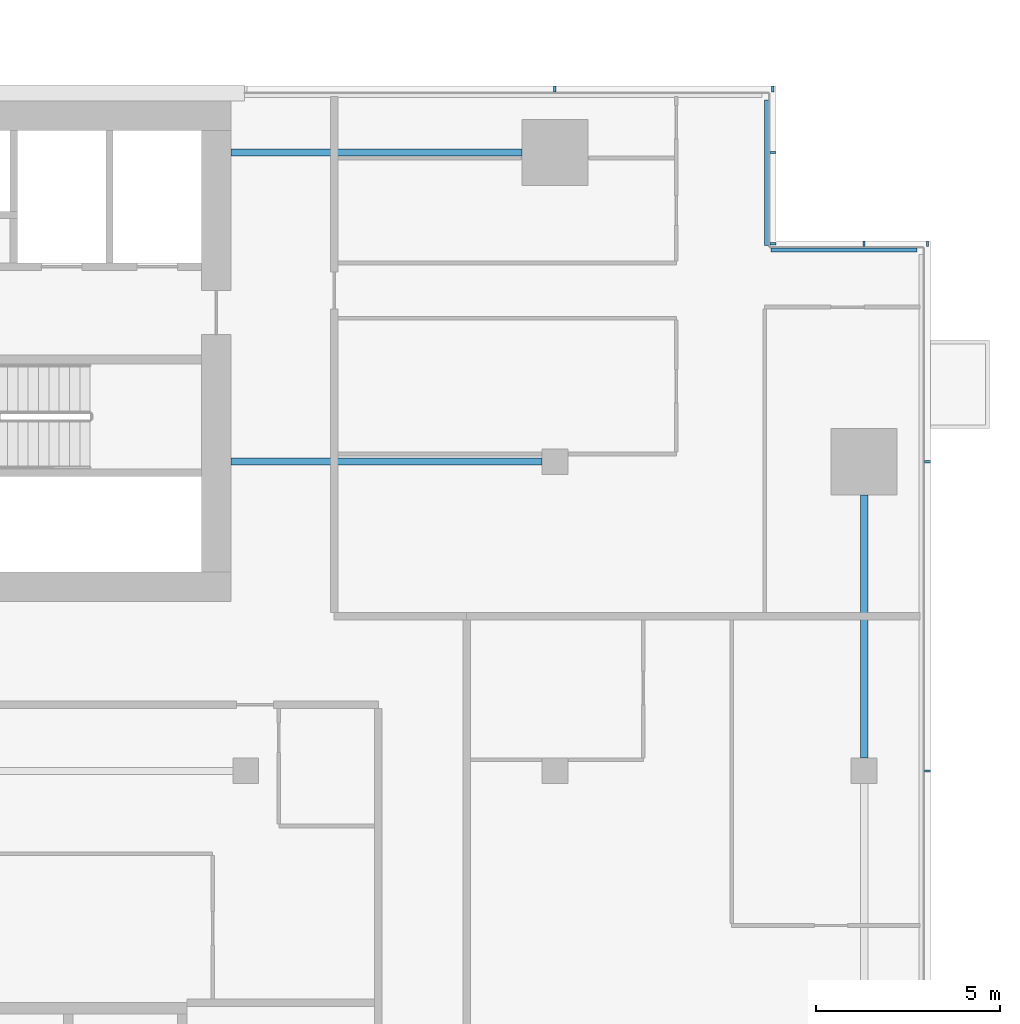
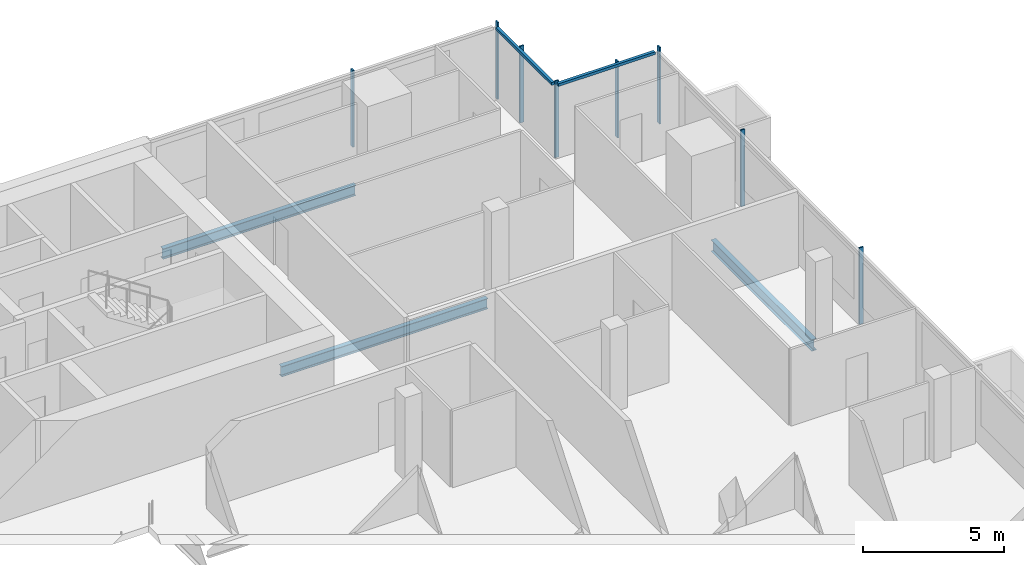
# One storey, part 13 of 27: 10 members, 3 beams, 4 elements without a shape of their own.
"""IFC4 building model written with IfcOpenShell, lengths in metres."""

from ifc_helpers import new_model, si_unit, direction, frame, origin, origin_2d, place, context, subcontext, project, spatial, rectangle, i_section, extrude, material, material_profile, profile_set, type_object, element, aggregate, save


model = new_model("IFC4")

# Units and contexts
model_context = context("Model", 3, precision=1e-05, world=origin(), true_north=direction((0.0, 1.0)))
body_context = subcontext(model_context, "Body", "Model", "MODEL_VIEW")
ifc_project = project(units=[si_unit("LENGTHUNIT", "METRE"), si_unit("AREAUNIT", "SQUARE_METRE"), si_unit("VOLUMEUNIT", "CUBIC_METRE"), si_unit("PLANEANGLEUNIT", "RADIAN"), si_unit("MASSUNIT", "GRAM", prefix="KILO")], contexts=[model_context])

# Site, building, storey
site_placement = place(None, origin())
site = spatial("IfcSite", under=ifc_project, at=site_placement, CompositionType="ELEMENT")
building_placement = place(site_placement, origin())
building = spatial("IfcBuilding", under=site, at=building_placement, Name="Saffron Gate Tower", CompositionType="ELEMENT")
storey_placement = place(building_placement, frame((0.0, 0.0, 172.64990234375)))
storey = spatial("IfcBuildingStorey", under=building, at=storey_placement, Name="L42", CompositionType="ELEMENT", Elevation=172.64990234375)

# Beams
ifc_material_1 = material(Name="Structural steel S355", Category="steel")
ifc_material_profile_1 = material_profile(ifc_material_1, i_section(OverallWidth=0.199951171875, OverallDepth=0.5, WebThickness=0.01025390625, FlangeThickness=0.01611328125, FilletRadius=0.02099609375, at=origin_2d()))
ifc_profile_set_1 = profile_set([ifc_material_profile_1], Name="Structural steel S355")
beam_type_1 = type_object("IfcBeamType", Name="B11 IPE 500", PredefinedType="SPANDREL", material=ifc_profile_set_1)
beam_1_placement = place(storey_placement, frame((125.39990234375, 57.35009765625, -0.52978515625), z_axis=(0.0, 1.0, 0.0), x_axis=(-1.0, 0.0, 0.0)))
element("IfcBeam", 1, at=beam_1_placement, inside=storey, type_object=beam_type_1, Name="B11 SPANDREL BEAM", PredefinedType="SPANDREL", context=body_context, shape_type="SweptSolid", body=[
    extrude(i_section(OverallWidth=0.199951171875, OverallDepth=0.5, WebThickness=0.01025390625, FlangeThickness=0.01611328125, FilletRadius=0.02099609375, at=origin_2d()), origin(), (0.0, 0.0, 1.0), 7.14990234375),
])
ifc_material_profile_2 = material_profile(ifc_material_1, i_section(OverallWidth=0.18994140625, OverallDepth=0.449951171875, WebThickness=0.009521484375, FlangeThickness=0.0146484375, FilletRadius=0.02099609375, at=origin_2d()))
ifc_profile_set_2 = profile_set([ifc_material_profile_2], Name="Structural steel S355")
beam_type_2 = type_object("IfcBeamType", Name="B6 IPE 450", PredefinedType="BEAM", material=ifc_profile_set_2)
beam_2_placement = place(storey_placement, frame((116.64990234375, 65.39990234375, -0.5048828125), z_axis=(-1.0, 0.0, 0.0), x_axis=(0.0, -1.0, 0.0)))
element("IfcBeam", 2, at=beam_2_placement, inside=storey, type_object=beam_type_2, Name="B6 CORE TIE BEAM", PredefinedType="BEAM", context=body_context, shape_type="SweptSolid", body=[
    extrude(i_section(OverallWidth=0.18994140625, OverallDepth=0.449951171875, WebThickness=0.009521484375, FlangeThickness=0.0146484375, FilletRadius=0.02099609375, at=origin_2d()), origin(), (0.0, 0.0, 1.0), 8.449951171875),
])
beam_3_placement = place(storey_placement, frame((116.10009765625, 73.800048828125, -0.5048828125), z_axis=(-1.0, 0.0, 0.0), x_axis=(0.0, -1.0, 0.0)))
element("IfcBeam", 3, at=beam_3_placement, inside=storey, type_object=beam_type_2, Name="B6 CORE TIE BEAM", PredefinedType="BEAM", context=body_context, shape_type="SweptSolid", body=[
    extrude(i_section(OverallWidth=0.18994140625, OverallDepth=0.449951171875, WebThickness=0.009521484375, FlangeThickness=0.0146484375, FilletRadius=0.02099609375, at=origin_2d()), origin(), (0.0, 0.0, 1.0), 7.900146484375),
])

# Curtain wall, members
ifc_material_2 = material(Name="Aluminium, bronze anodised", Category="aluminium")
curtain_wall_type_1 = type_object("IfcCurtainWallType", Name="CWS2 curtain wall side facades", PredefinedType="NOTDEFINED", material=ifc_material_2)
curtain_wall_1_placement = place(storey_placement, origin())
curtain_wall_1 = element("IfcCurtainWall", 4, at=curtain_wall_1_placement, inside=storey, type_object=curtain_wall_type_1, Name="CWS2 run 4", PredefinedType="NOTDEFINED")
ifc_material_profile_3 = material_profile(ifc_material_2, rectangle(XDim=0.159912109375, YDim=0.06005859375, at=origin_2d()))
ifc_profile_set_3 = profile_set([ifc_material_profile_3], Name="Aluminium, bronze anodised")
member_type_1 = type_object("IfcMemberType", Name="CWS2 mullion 60x160", PredefinedType="MULLION", material=ifc_profile_set_3)
member_1_placement = place(storey_placement, frame((127.1201171875, 57.0, 0.0), z_axis=(0.0, 0.0, 1.0), x_axis=(-1.0, 0.0, 0.0)))
member_1 = element("IfcMember", 5, at=member_1_placement, type_object=member_type_1, Name="CWS2 mullion 4", PredefinedType="MULLION", context=body_context, shape_type="SweptSolid", body=[
    extrude(rectangle(XDim=0.159912109375, YDim=0.06005859375, at=origin_2d()), origin(), (0.0, 0.0, 1.0), 3.320068359375),
])
member_2_placement = place(storey_placement, frame((127.1201171875, 65.39990234375, 0.0), z_axis=(0.0, 0.0, 1.0), x_axis=(-1.0, 0.0, 0.0)))
member_2 = element("IfcMember", 6, at=member_2_placement, type_object=member_type_1, Name="CWS2 mullion 5", PredefinedType="MULLION", context=body_context, shape_type="SweptSolid", body=[
    extrude(rectangle(XDim=0.159912109375, YDim=0.06005859375, at=origin_2d()), origin(), (0.0, 0.0, 1.0), 3.320068359375),
])
aggregate(curtain_wall_1, [member_1, member_2])

curtain_wall_type_2 = type_object("IfcCurtainWallType", Name="CWS3 curtain wall rear facade", PredefinedType="NOTDEFINED", material=ifc_material_2)
curtain_wall_2_placement = place(storey_placement, origin())
curtain_wall_2 = element("IfcCurtainWall", 7, at=curtain_wall_2_placement, inside=storey, type_object=curtain_wall_type_2, Name="CWS3 run 7", PredefinedType="NOTDEFINED")
ifc_material_profile_4 = material_profile(ifc_material_2, rectangle(XDim=0.159912109375, YDim=0.070068359375, at=origin_2d()))
ifc_profile_set_4 = profile_set([ifc_material_profile_4], Name="Aluminium, bronze anodised")
member_type_2 = type_object("IfcMemberType", Name="CWS3 mullion 70x160", PredefinedType="MULLION", material=ifc_profile_set_4)
member_3_placement = place(storey_placement, frame((122.919921875, 75.52001953125, 0.0), z_axis=(0.0, 0.0, 1.0), x_axis=(0.0, -1.0, 0.0)))
member_3 = element("IfcMember", 8, at=member_3_placement, type_object=member_type_2, Name="CWS3 mullion 1", PredefinedType="MULLION", context=body_context, shape_type="SweptSolid", body=[
    extrude(rectangle(XDim=0.159912109375, YDim=0.070068359375, at=origin_2d()), origin(), (0.0, 0.0, 1.0), 3.320068359375),
])
member_4_placement = place(storey_placement, frame((117.0, 75.52001953125, 0.0), z_axis=(0.0, 0.0, 1.0), x_axis=(0.0, -1.0, 0.0)))
member_4 = element("IfcMember", 9, at=member_4_placement, type_object=member_type_2, Name="CWS3 mullion 2", PredefinedType="MULLION", context=body_context, shape_type="SweptSolid", body=[
    extrude(rectangle(XDim=0.159912109375, YDim=0.070068359375, at=origin_2d()), origin(), (0.0, 0.0, 1.0), 3.320068359375),
])
aggregate(curtain_wall_2, [member_3, member_4])

# Curtain wall, member
curtain_wall_type_3 = type_object("IfcCurtainWallType", Name="CWS4 curtain wall corner returns", PredefinedType="NOTDEFINED", material=ifc_material_2)
curtain_wall_3_placement = place(storey_placement, origin())
curtain_wall_3 = element("IfcCurtainWall", 10, at=curtain_wall_3_placement, inside=storey, type_object=curtain_wall_type_3, Name="CWS4 run 5", PredefinedType="NOTDEFINED")
ifc_material_profile_5 = material_profile(ifc_material_2, rectangle(XDim=0.1201171875, YDim=0.1201171875, at=origin_2d()))
ifc_profile_set_5 = profile_set([ifc_material_profile_5], Name="Aluminium, bronze anodised")
member_type_3 = type_object("IfcMemberType", Name="CWS4 head transom", PredefinedType="USERDEFINED", material=ifc_profile_set_5)
member_5_placement = place(storey_placement, frame((126.83203125, 71.152099609375, 3.260009765625), z_axis=(-1.0, 0.0, 0.0), x_axis=(0.0, -1.0, 0.0)))
member_5 = element("IfcMember", 11, at=member_5_placement, type_object=member_type_3, Name="CWS4 head transom", ObjectType="TRANSOM", PredefinedType="USERDEFINED", context=body_context, shape_type="SweptSolid", body=[
    extrude(rectangle(XDim=0.1201171875, YDim=0.1201171875, at=origin_2d()), origin(), (0.0, 0.0, 1.0), 3.9599609375),
])

curtain_wall_4_placement = place(storey_placement, origin())
curtain_wall_4 = element("IfcCurtainWall", 12, at=curtain_wall_4_placement, inside=storey, type_object=curtain_wall_type_3, Name="CWS4 run 6", PredefinedType="NOTDEFINED")
member_6_placement = place(storey_placement, frame((122.751953125, 71.27197265625, 3.260009765625), z_axis=(0.0, 1.0, 0.0), x_axis=(-1.0, 0.0, 0.0)))
member_6 = element("IfcMember", 13, at=member_6_placement, type_object=member_type_3, Name="CWS4 head transom", ObjectType="TRANSOM", PredefinedType="USERDEFINED", context=body_context, shape_type="SweptSolid", body=[
    extrude(rectangle(XDim=0.1201171875, YDim=0.1201171875, at=origin_2d()), origin(), (0.0, 0.0, 1.0), 3.9599609375),
])

# Member
ifc_material_profile_6 = material_profile(ifc_material_2, rectangle(XDim=0.159912109375, YDim=0.06005859375, at=origin_2d()))
ifc_profile_set_6 = profile_set([ifc_material_profile_6], Name="Aluminium, bronze anodised")
member_type_4 = type_object("IfcMemberType", Name="CWS4 mullion 60x160", PredefinedType="MULLION", material=ifc_profile_set_6)
member_7_placement = place(storey_placement, frame((127.1201171875, 71.320068359375, 0.0), z_axis=(0.0, 0.0, 1.0), x_axis=(0.0, -1.0, 0.0)))
member_7 = element("IfcMember", 14, at=member_7_placement, type_object=member_type_4, Name="CWS4 mullion 1", PredefinedType="MULLION", context=body_context, shape_type="SweptSolid", body=[
    extrude(rectangle(XDim=0.159912109375, YDim=0.06005859375, at=origin_2d()), origin(), (0.0, 0.0, 1.0), 3.320068359375),
])

member_8_placement = place(storey_placement, frame((125.39990234375, 71.320068359375, 0.0), z_axis=(0.0, 0.0, 1.0), x_axis=(0.0, -1.0, 0.0)))
member_8 = element("IfcMember", 15, at=member_8_placement, type_object=member_type_4, Name="CWS4 mullion 2", PredefinedType="MULLION", context=body_context, shape_type="SweptSolid", body=[
    extrude(rectangle(XDim=0.159912109375, YDim=0.06005859375, at=origin_2d()), origin(), (0.0, 0.0, 1.0), 3.320068359375),
])

aggregate(curtain_wall_3, [member_7, member_8, member_5])

member_9_placement = place(storey_placement, frame((122.919921875, 71.320068359375, 0.0), z_axis=(0.0, 0.0, 1.0), x_axis=(-1.0, 0.0, 0.0)))
member_9 = element("IfcMember", 16, at=member_9_placement, type_object=member_type_4, Name="CWS4 mullion 1", PredefinedType="MULLION", context=body_context, shape_type="SweptSolid", body=[
    extrude(rectangle(XDim=0.159912109375, YDim=0.06005859375, at=origin_2d()), origin(), (0.0, 0.0, 1.0), 3.320068359375),
])

member_10_placement = place(storey_placement, frame((122.919921875, 73.800048828125, 0.0), z_axis=(0.0, 0.0, 1.0), x_axis=(-1.0, 0.0, 0.0)))
member_10 = element("IfcMember", 17, at=member_10_placement, type_object=member_type_4, Name="CWS4 mullion 2", PredefinedType="MULLION", context=body_context, shape_type="SweptSolid", body=[
    extrude(rectangle(XDim=0.159912109375, YDim=0.06005859375, at=origin_2d()), origin(), (0.0, 0.0, 1.0), 3.320068359375),
])

aggregate(curtain_wall_4, [member_9, member_10, member_6])

save(model, "model.ifc")
